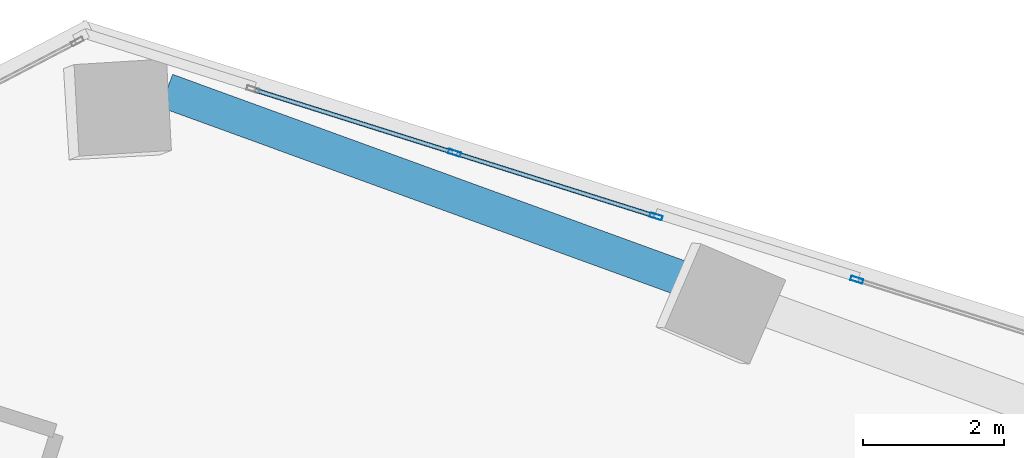
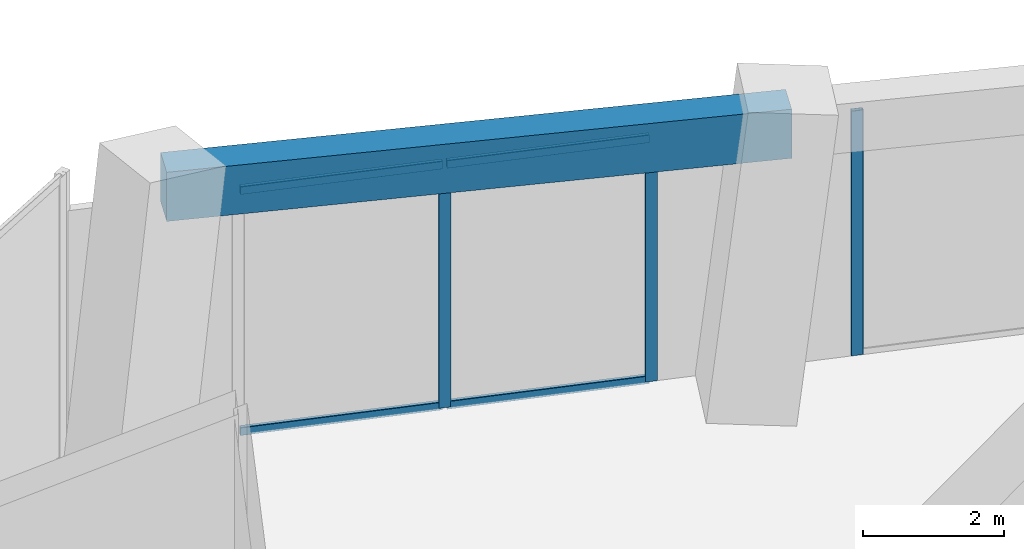
# One storey, part 17 of 29: 7 members, 1 beam, 2 elements without a shape of their own.
"""IFC4 building model written with IfcOpenShell, lengths in metres."""

from ifc_helpers import new_model, si_unit, direction, frame, origin, origin_2d, place, context, subcontext, project, spatial, rectangle, hollow_rectangle, extrude, source, transform, mapped, material, material_profile, profile_set, type_object, element, aggregate, save


model = new_model("IFC4")

# Units and contexts
model_context = context("Model", 3, precision=1e-05, world=origin(), true_north=direction((0.0, 1.0)))
body_context = subcontext(model_context, "Body", "Model", "MODEL_VIEW")
ifc_project = project(units=[si_unit("LENGTHUNIT", "METRE"), si_unit("AREAUNIT", "SQUARE_METRE"), si_unit("VOLUMEUNIT", "CUBIC_METRE"), si_unit("PLANEANGLEUNIT", "RADIAN"), si_unit("MASSUNIT", "GRAM", prefix="KILO")], contexts=[model_context])

# Site, building, storey
site_placement = place(None, origin())
site = spatial("IfcSite", under=ifc_project, at=site_placement, CompositionType="ELEMENT")
building_placement = place(site_placement, origin())
building = spatial("IfcBuilding", under=site, at=building_placement, Name="Torre Montelarca", CompositionType="ELEMENT")
storey_placement = place(building_placement, frame((0.0, 0.0, 122.199951171875)))
storey = spatial("IfcBuildingStorey", under=building, at=storey_placement, Name="L27", CompositionType="ELEMENT", Elevation=122.199951171875)

# Beam
ifc_material_1 = material(Name="Concrete C55/67", Category="concrete")
ifc_material_profile_1 = material_profile(ifc_material_1, rectangle(XDim=0.5, YDim=0.85009765625, at=origin_2d()), Name="RCB500X850", Category="concrete")
ifc_profile_set_1 = profile_set([ifc_material_profile_1], Name="Concrete C55/67")
beam_type = type_object("IfcBeamType", Name="BM-SP-RC850-EXT", PredefinedType="SPANDREL", material=ifc_profile_set_1)
shared_shape_1 = source(origin(), body_context, "Body", "SweptSolid", [
    extrude(rectangle(XDim=0.5, YDim=0.85009765625, at=origin_2d()), origin(), (0.0, 0.0, 1.0), 9.0),
])
beam_placement = place(storey_placement, frame((14.935302734375, 50.51171875, 4.695068359375), z_axis=(0.939686455819, -0.342037080957, 0.0), x_axis=(0.342037080957, 0.939686455819, 0.0)))
element("IfcBeam", 1, at=beam_placement, inside=storey, type_object=beam_type, Name="L27 Grid Girder X 9.0-18.0 at Y=47.1", PredefinedType="SPANDREL", context=body_context, shape_type="MappedRepresentation", body=[
    mapped(shared_shape_1, transform((0.0, 0.0, 0.0), scale=1.0)),
])

# Curtain wall, member
ifc_material_2 = material(Name="Insulated low-E laminated glass", Category="glass")
curtain_wall_type = type_object("IfcCurtainWallType", Name="CW-SYS-Z1", PredefinedType="USERDEFINED", material=ifc_material_2)
curtain_wall_1_placement = place(storey_placement, origin())
curtain_wall_1 = element("IfcCurtainWall", 2, at=curtain_wall_1_placement, inside=storey, type_object=curtain_wall_type, Name="L27 Curtain Wall Run CW-T3-L27-E08-B3", ObjectType="UNITISED GLAZING", PredefinedType="USERDEFINED")
ifc_material_3 = material(Name="Anodised aluminium AA 6063-T6", Category="aluminium")
ifc_material_profile_2 = material_profile(ifc_material_3, hollow_rectangle(XDim=0.06494140625, YDim=0.179931640625, WallThickness=0.00390625, InnerFilletRadius=0.00390625, OuterFilletRadius=0.008056640625, at=origin_2d()), Name="ALU65X180X4", Category="aluminium")
ifc_profile_set_2 = profile_set([ifc_material_profile_2], Name="Anodised aluminium AA 6063-T6")
member_type_1 = type_object("IfcMemberType", Name="CWM-ALU180", PredefinedType="MULLION", material=ifc_profile_set_2)
shared_shape_2 = source(origin(), body_context, "Body", "SweptSolid", [
    extrude(hollow_rectangle(XDim=0.06494140625, YDim=0.179931640625, WallThickness=0.00390625, InnerFilletRadius=0.00390625, OuterFilletRadius=0.008056640625, at=origin_2d()), origin(), (0.0, 0.0, 1.0), 4.235107421875),
])
member_1_placement = place(storey_placement, frame((24.736572265625, 47.829345703125, 0.0), z_axis=(0.0, 0.0, 1.0), x_axis=(-0.300716224564, -0.953713663677, 0.0)))
member_1 = element("IfcMember", 3, at=member_1_placement, type_object=member_type_1, Name="CW mullion 3", PredefinedType="MULLION", context=body_context, shape_type="MappedRepresentation", body=[
    mapped(shared_shape_2, transform((0.0, 0.0, 0.0), scale=1.0)),
])
aggregate(curtain_wall_1, [member_1])

# Curtain wall, members
curtain_wall_2_placement = place(storey_placement, origin())
curtain_wall_2 = element("IfcCurtainWall", 4, at=curtain_wall_2_placement, inside=storey, type_object=curtain_wall_type, Name="L27 Curtain Wall Run CW-T3-L27-E08-B4", ObjectType="UNITISED GLAZING", PredefinedType="USERDEFINED")
member_2_placement = place(storey_placement, frame((21.885498046875, 48.728271484375, 0.0), z_axis=(0.0, 0.0, 1.0), x_axis=(-0.300694339721, -0.953720563928, 0.0)))
member_2 = element("IfcMember", 5, at=member_2_placement, type_object=member_type_1, Name="CW mullion 1", PredefinedType="MULLION", context=body_context, shape_type="MappedRepresentation", body=[
    mapped(shared_shape_2, transform((0.0, 0.0, 0.0), scale=1.0)),
])
member_3_placement = place(storey_placement, frame((19.0234375, 49.630615234375, 0.0), z_axis=(0.0, 0.0, 1.0), x_axis=(-0.300694339721, -0.953720563928, 0.0)))
member_3 = element("IfcMember", 6, at=member_3_placement, type_object=member_type_1, Name="CW mullion 2", PredefinedType="MULLION", context=body_context, shape_type="MappedRepresentation", body=[
    mapped(shared_shape_2, transform((0.0, 0.0, 0.0), scale=1.0)),
])
ifc_material_profile_3 = material_profile(ifc_material_3, hollow_rectangle(XDim=0.06494140625, YDim=0.139892578125, WallThickness=0.00390625, InnerFilletRadius=0.00390625, OuterFilletRadius=0.008056640625, at=origin_2d()), Name="ALU65X140X4", Category="aluminium")
ifc_profile_set_3 = profile_set([ifc_material_profile_3], Name="Anodised aluminium AA 6063-T6")
member_type_2 = type_object("IfcMemberType", Name="CWT-ALU140", PredefinedType="USERDEFINED", material=ifc_profile_set_3)
shared_shape_3 = source(origin(), body_context, "Body", "SweptSolid", [
    extrude(hollow_rectangle(XDim=0.06494140625, YDim=0.139892578125, WallThickness=0.00390625, InnerFilletRadius=0.00390625, OuterFilletRadius=0.008056640625, at=origin_2d()), origin(), (0.0, 0.0, 1.0), 2.93603515625),
])
member_4_placement = place(storey_placement, frame((21.8544921875, 48.738037109375, 0.032470703125), z_axis=(-0.953720809551, 0.300693560671, 0.0), x_axis=(-0.300693560671, -0.953720809551, 0.0)))
member_4 = element("IfcMember", 7, at=member_4_placement, type_object=member_type_2, Name="CW transom 1.1", ObjectType="TRANSOM", PredefinedType="USERDEFINED", context=body_context, shape_type="MappedRepresentation", body=[
    mapped(shared_shape_3, transform((0.0, 0.0, 0.0), scale=1.0)),
])
member_5_placement = place(storey_placement, frame((21.8544921875, 48.738037109375, 4.20263671875), z_axis=(-0.953720809551, 0.300693560671, 0.0), x_axis=(-0.300693560671, -0.953720809551, 0.0)))
member_5 = element("IfcMember", 8, at=member_5_placement, type_object=member_type_2, Name="CW transom 1.2", ObjectType="TRANSOM", PredefinedType="USERDEFINED", context=body_context, shape_type="MappedRepresentation", body=[
    mapped(shared_shape_3, transform((0.0, 0.0, 0.0), scale=1.0)),
])
shared_shape_4 = source(origin(), body_context, "Body", "SweptSolid", [
    extrude(hollow_rectangle(XDim=0.06494140625, YDim=0.139892578125, WallThickness=0.00390625, InnerFilletRadius=0.00390625, OuterFilletRadius=0.008056640625, at=origin_2d()), origin(), (0.0, 0.0, 1.0), 2.936279296875),
])
member_6_placement = place(storey_placement, frame((18.992431640625, 49.640380859375, 0.032470703125), z_axis=(-0.953704481166, 0.300745345107, 0.0), x_axis=(-0.300745345107, -0.953704481166, 0.0)))
member_6 = element("IfcMember", 9, at=member_6_placement, type_object=member_type_2, Name="CW transom 2.1", ObjectType="TRANSOM", PredefinedType="USERDEFINED", context=body_context, shape_type="MappedRepresentation", body=[
    mapped(shared_shape_4, transform((0.0, 0.0, 0.0), scale=1.0)),
])
member_7_placement = place(storey_placement, frame((18.992431640625, 49.640380859375, 4.20263671875), z_axis=(-0.953704481166, 0.300745345107, 0.0), x_axis=(-0.300745345107, -0.953704481166, 0.0)))
member_7 = element("IfcMember", 10, at=member_7_placement, type_object=member_type_2, Name="CW transom 2.2", ObjectType="TRANSOM", PredefinedType="USERDEFINED", context=body_context, shape_type="MappedRepresentation", body=[
    mapped(shared_shape_4, transform((0.0, 0.0, 0.0), scale=1.0)),
])
aggregate(curtain_wall_2, [member_2, member_3, member_4, member_5, member_6, member_7])

save(model, "model.ifc")
